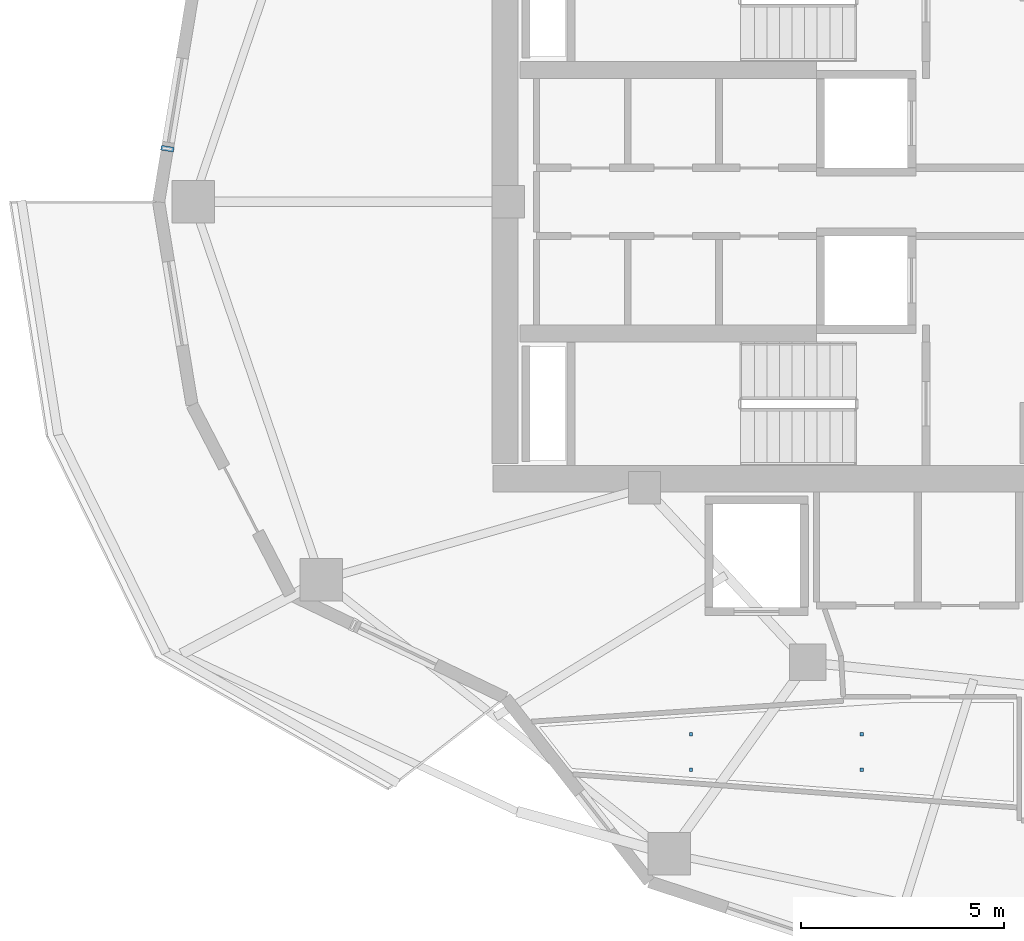
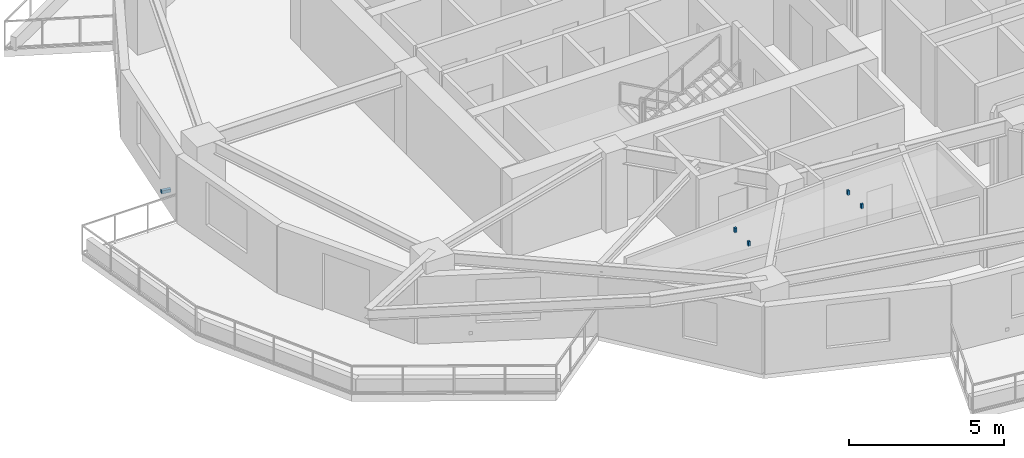
# One storey, part 9 of 17: 5 discrete accessories.
"""IFC4 building model written with IfcOpenShell, lengths in metres."""

from ifc_helpers import new_model, si_unit, direction, frame, origin, origin_2d, place, context, subcontext, project, spatial, rectangle, extrude, material, type_object, element, save


model = new_model("IFC4")

# Units and contexts
model_context = context("Model", 3, precision=1e-05, world=origin(), true_north=direction((0.0, 1.0)))
body_context = subcontext(model_context, "Body", "Model", "MODEL_VIEW")
ifc_project = project(units=[si_unit("LENGTHUNIT", "METRE"), si_unit("AREAUNIT", "SQUARE_METRE"), si_unit("VOLUMEUNIT", "CUBIC_METRE"), si_unit("PLANEANGLEUNIT", "RADIAN"), si_unit("MASSUNIT", "GRAM", prefix="KILO")], contexts=[model_context])

# Site, building, storey
site_placement = place(None, origin())
site = spatial("IfcSite", under=ifc_project, at=site_placement, CompositionType="ELEMENT")
building_placement = place(site_placement, origin())
building = spatial("IfcBuilding", under=site, at=building_placement, Name="Kolvaren Gate Tower and Convention Centre", CompositionType="ELEMENT")
storey_placement = place(building_placement, frame((0.0, 0.0, 125.699951171875)))
storey = spatial("IfcBuildingStorey", under=building, at=storey_placement, Name="L31", CompositionType="ELEMENT", Elevation=125.699951171875)

# Discrete accessories
ifc_material_1 = material(Name="Anodized Architectural Aluminium Alloy 6063-T6", Category="aluminium")
discrete_accessory_type_1 = type_object("IfcDiscreteAccessoryType", Name="ARCH-ACC-BRACKET-120", PredefinedType="BRACKET", material=ifc_material_1)
discrete_accessory_placement = place(storey_placement, frame((6.1533203125, 28.310302734375, 0.2900390625), z_axis=(0.0, 0.0, 1.0), x_axis=(0.162389178836, 0.986726788223, 0.0)))
element("IfcDiscreteAccessory", 1, at=discrete_accessory_placement, inside=storey, type_object=discrete_accessory_type_1, Name="Ceramic Fin Wall Anchor Bracket FBK-L31-11", PredefinedType="BRACKET", context=body_context, shape_type="SweptSolid", body=[
    extrude(rectangle(XDim=0.1201171875, YDim=0.320068359375, at=origin_2d()), origin(), (0.0, 0.0, 1.0), 0.1201171875),
])
ifc_material_2 = material(Name="Brushed Stainless Steel Grade 316L", Category="steel")
discrete_accessory_type_2 = type_object("IfcDiscreteAccessoryType", Name="ARCH-ACC-HANGER-80", PredefinedType="BRACKET", material=ifc_material_2)
for number, where, z_axis, x_axis, name in (
    (2, (19.06201171875, 13.0009765625, 2.9501953125), (0.0, 0.0, 1.0), (1.0, 0.0, 0.0), "Executive Seminar Conference Room Ceiling Suspension Hanger Clip 1"),
    (3, (23.27001953125, 13.0009765625, 2.9501953125), (0.0, 0.0, 1.0), (1.0, 0.0, 0.0), "Executive Seminar Conference Room Ceiling Suspension Hanger Clip 2"),
    (4, (19.06201171875, 13.87890625, 2.9501953125), (0.0, 0.0, 1.0), (1.0, 0.0, 0.0), "Executive Seminar Conference Room Ceiling Suspension Hanger Clip 3"),
    (5, (23.27001953125, 13.87890625, 2.9501953125), (0.0, 0.0, 1.0), (1.0, 0.0, 0.0), "Executive Seminar Conference Room Ceiling Suspension Hanger Clip 4"),
):
    element("IfcDiscreteAccessory", number, at=place(storey_placement, frame(where, z_axis=z_axis, x_axis=x_axis)), inside=storey, type_object=discrete_accessory_type_2, Name=name, PredefinedType="BRACKET", context=body_context, shape_type="SweptSolid", body=[
        extrude(rectangle(XDim=0.080078125, YDim=0.080078125, at=origin_2d()), origin(), (0.0, 0.0, 1.0), 0.179931640625),
    ])

save(model, "model.ifc")
